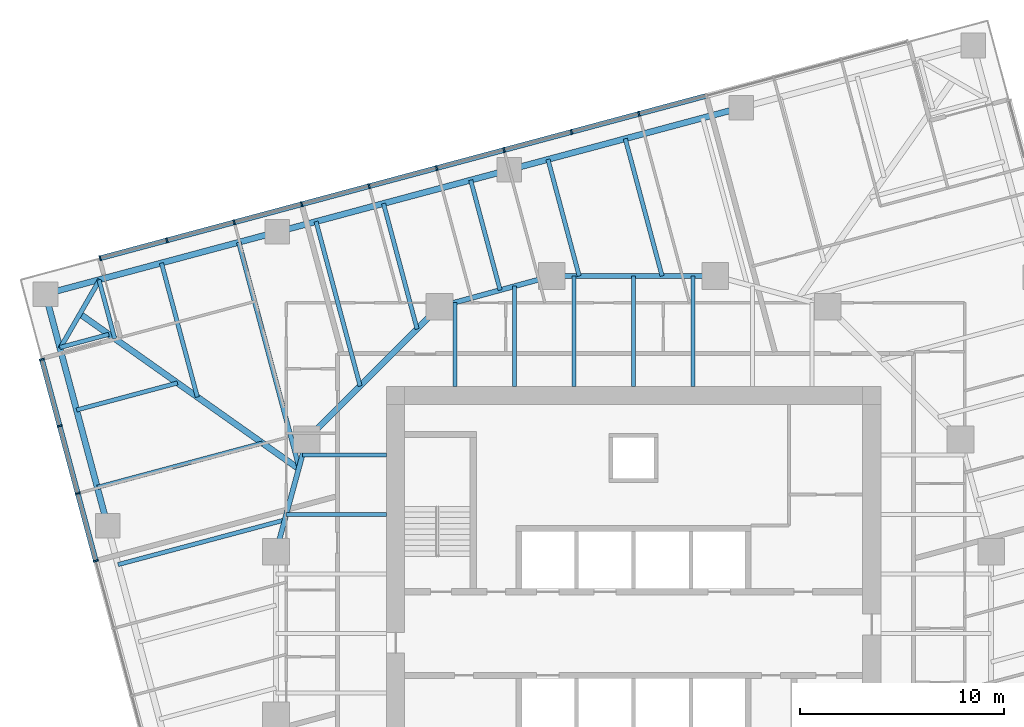
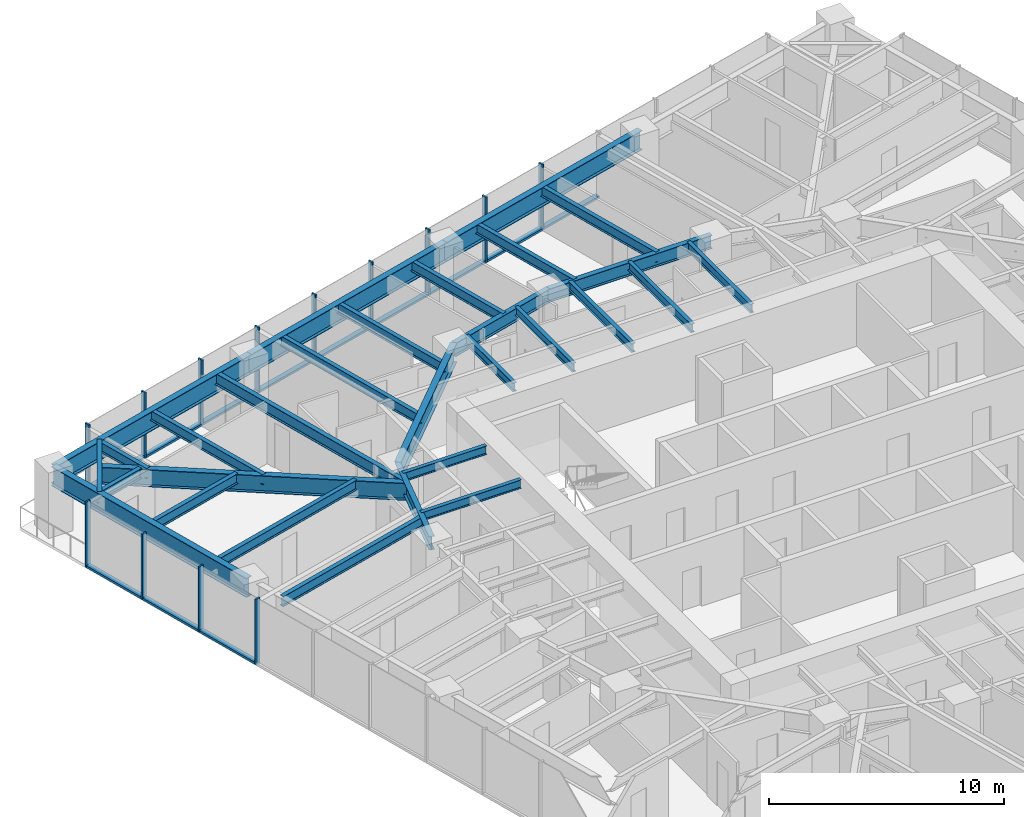
# One storey, part 5 of 14: 29 beams, 25 members, 2 elements without a shape of their own.
"""IFC4 building model written with IfcOpenShell, lengths in metres."""

from ifc_helpers import new_model, si_unit, direction, frame, origin, origin_2d, place, context, subcontext, project, spatial, rectangle, i_section, extrude, material, material_profile, profile_set, type_object, element, aggregate, save


model = new_model("IFC4")

# Units and contexts
model_context = context("Model", 3, precision=1e-05, world=origin(), true_north=direction((0.0, 1.0)))
body_context = subcontext(model_context, "Body", "Model", "MODEL_VIEW")
ifc_project = project(units=[si_unit("LENGTHUNIT", "METRE"), si_unit("AREAUNIT", "SQUARE_METRE"), si_unit("VOLUMEUNIT", "CUBIC_METRE"), si_unit("PLANEANGLEUNIT", "RADIAN"), si_unit("MASSUNIT", "GRAM", prefix="KILO")], contexts=[model_context])

# Site, building, storey
site_placement = place(None, origin())
site = spatial("IfcSite", under=ifc_project, at=site_placement, CompositionType="ELEMENT")
building_placement = place(site_placement, origin())
building = spatial("IfcBuilding", under=site, at=building_placement, Name="Torsade Residences", CompositionType="ELEMENT")
storey_placement = place(building_placement, frame((0.0, 0.0, 128.60009765625)))
storey = spatial("IfcBuildingStorey", under=building, at=storey_placement, Name="L35", CompositionType="ELEMENT", Elevation=128.60009765625)

# Beams
ifc_material_1 = material(Name="Steel grade 300", Category="steel")
ifc_material_profile_1 = material_profile(ifc_material_1, i_section(OverallWidth=0.300048828125, OverallDepth=0.89990234375, WebThickness=0.011962890625, FlangeThickness=0.02490234375, at=origin_2d()), Name="900WB175")
ifc_profile_set_1 = profile_set([ifc_material_profile_1], Name="Steel grade 300")
beam_type_1 = type_object("IfcBeamType", Name="CORNER GIRDER 900WB175", PredefinedType="BEAM", material=ifc_profile_set_1)
beam_1_placement = place(storey_placement, frame((12.902587890625, 45.644775390625, 2.7998046875), z_axis=(0.816261084801, -0.577683167004, 0.0), x_axis=(0.577683167004, 0.816261084801, 0.0)))
element("IfcBeam", 1, at=beam_1_placement, inside=storey, type_object=beam_type_1, Name="Corner girder 13 L36", PredefinedType="BEAM", context=body_context, shape_type="SweptSolid", body=[
    extrude(i_section(OverallWidth=0.300048828125, OverallDepth=0.89990234375, WebThickness=0.011962890625, FlangeThickness=0.02490234375, at=origin_2d()), origin(), (0.0, 0.0, 1.0), 13.116943359375),
])
ifc_material_2 = material(Name="Steel grade 300", Category="steel")
ifc_material_profile_2 = material_profile(ifc_material_2, i_section(OverallWidth=0.22802734375, OverallDepth=0.60205078125, WebThickness=0.010498046875, FlangeThickness=0.014892578125, FilletRadius=0.013916015625, at=origin_2d()), Name="610UB101")
ifc_profile_set_2 = profile_set([ifc_material_profile_2], Name="Steel grade 300")
beam_type_2 = type_object("IfcBeamType", Name="CORNER TRIMMER 610UB101", PredefinedType="BEAM", material=ifc_profile_set_2)
beam_2_placement = place(storey_placement, frame((11.93017578125, 43.960693359375, 2.948974609375), z_axis=(0.499994147244, 0.866028782848, 0.0), x_axis=(-0.866028782848, 0.499994147244, 0.0)))
element("IfcBeam", 2, at=beam_2_placement, inside=storey, type_object=beam_type_2, Name="Corner trimmer 13 L36", PredefinedType="BEAM", context=body_context, shape_type="SweptSolid", body=[
    extrude(i_section(OverallWidth=0.22802734375, OverallDepth=0.60205078125, WebThickness=0.010498046875, FlangeThickness=0.014892578125, FilletRadius=0.013916015625, at=origin_2d()), origin(), (0.0, 0.0, 1.0), 3.88916015625),
])
ifc_material_3 = material(Name="Steel grade 300", Category="steel")
ifc_material_profile_3 = material_profile(ifc_material_3, i_section(OverallWidth=0.300048828125, OverallDepth=1.0, WebThickness=0.01611328125, FlangeThickness=0.028076171875, at=origin_2d()), Name="1000WB215")
ifc_profile_set_3 = profile_set([ifc_material_profile_3], Name="Steel grade 300")
beam_type_3 = type_object("IfcBeamType", Name="EDGE BEAM 1000WB215", PredefinedType="SPANDREL", material=ifc_profile_set_3)
for number, where, z_axis, x_axis, name in (
    (3, (45.267333984375, 55.740478515625, 2.75), (-0.965922824118, -0.258830249097, 0.0), (0.258830249097, -0.965922824118, 0.0), "Edge beam 10 L36"),
    (4, (33.917724609375, 52.69921875, 2.75), (-0.965928018634, -0.258810863021, 0.0), (0.258810863021, -0.965928018634, 0.0), "Edge beam 11 L36"),
    (5, (22.568115234375, 49.658203125, 2.75), (-0.965922824118, -0.258830249097, 0.0), (0.258830249097, -0.965922824118, 0.0), "Edge beam 12 L36"),
    (6, (11.218505859375, 46.616943359375, 2.75), (0.258810863021, -0.965928018634, 0.0), (0.965928018634, 0.258810863021, 0.0), "Edge beam 13 L36"),
):
    element("IfcBeam", number, at=place(storey_placement, frame(where, z_axis=z_axis, x_axis=x_axis)), inside=storey, type_object=beam_type_3, Name=name, PredefinedType="SPANDREL", context=body_context, shape_type="SweptSolid", body=[
        extrude(i_section(OverallWidth=0.300048828125, OverallDepth=1.0, WebThickness=0.01611328125, FlangeThickness=0.028076171875, at=origin_2d()), origin(), (0.0, 0.0, 1.0), 11.75),
    ])
ifc_material_4 = material(Name="Steel grade 300", Category="steel")
ifc_material_profile_4 = material_profile(ifc_material_4, i_section(OverallWidth=0.18994140625, OverallDepth=0.4541015625, WebThickness=0.008544921875, FlangeThickness=0.0126953125, FilletRadius=0.011474609375, at=origin_2d()), Name="460UB67.1")
ifc_profile_set_4 = profile_set([ifc_material_profile_4], Name="Steel grade 300")
beam_type_4 = type_object("IfcBeamType", Name="INNER FLOOR BEAM 460UB67.1", PredefinedType="JOIST", material=ifc_profile_set_4)
beam_3_placement = place(storey_placement, frame((31.262451171875, 42.10009765625, 3.02294921875), z_axis=(0.0, 1.0, 0.0), x_axis=(-1.0, 0.0, 0.0)))
element("IfcBeam", 7, at=beam_3_placement, inside=storey, type_object=beam_type_4, Name="Inner floor beam IN01 L36", PredefinedType="JOIST", context=body_context, shape_type="SweptSolid", body=[
    extrude(i_section(OverallWidth=0.18994140625, OverallDepth=0.4541015625, WebThickness=0.008544921875, FlangeThickness=0.0126953125, FilletRadius=0.011474609375, at=origin_2d()), origin(), (0.0, 0.0, 1.0), 4.10791015625),
])
beam_4_placement = place(storey_placement, frame((34.175048828125, 42.10009765625, 3.02294921875), z_axis=(0.0, 1.0, 0.0), x_axis=(-1.0, 0.0, 0.0)))
element("IfcBeam", 8, at=beam_4_placement, inside=storey, type_object=beam_type_4, Name="Inner floor beam IN02 L36", PredefinedType="JOIST", context=body_context, shape_type="SweptSolid", body=[
    extrude(i_section(OverallWidth=0.18994140625, OverallDepth=0.4541015625, WebThickness=0.008544921875, FlangeThickness=0.0126953125, FilletRadius=0.011474609375, at=origin_2d()), origin(), (0.0, 0.0, 1.0), 4.902099609375),
])
for number, where, z_axis, x_axis, name in (
    (9, (37.08740234375, 42.10009765625, 3.02294921875), (0.0, 1.0, 0.0), (-1.0, 0.0, 0.0), "Inner floor beam IN03 L36"),
    (10, (40.0, 42.10009765625, 3.02294921875), (0.0, 1.0, 0.0), (-1.0, 0.0, 0.0), "Inner floor beam IN04 L36"),
    (11, (42.91259765625, 42.10009765625, 3.02294921875), (0.0, 1.0, 0.0), (-1.0, 0.0, 0.0), "Inner floor beam IN05 L36"),
):
    element("IfcBeam", number, at=place(storey_placement, frame(where, z_axis=z_axis, x_axis=x_axis)), inside=storey, type_object=beam_type_4, Name=name, PredefinedType="JOIST", context=body_context, shape_type="SweptSolid", body=[
        extrude(i_section(OverallWidth=0.18994140625, OverallDepth=0.4541015625, WebThickness=0.008544921875, FlangeThickness=0.0126953125, FilletRadius=0.011474609375, at=origin_2d()), origin(), (0.0, 0.0, 1.0), 5.39990234375),
    ])
beam_5_placement = place(storey_placement, frame((27.89990234375, 38.737548828125, 3.02294921875), z_axis=(-1.0, 0.0, 0.0), x_axis=(0.0, -1.0, 0.0)))
element("IfcBeam", 12, at=beam_5_placement, inside=storey, type_object=beam_type_4, Name="Inner floor beam IW01 L36", PredefinedType="JOIST", context=body_context, shape_type="SweptSolid", body=[
    extrude(i_section(OverallWidth=0.18994140625, OverallDepth=0.4541015625, WebThickness=0.008544921875, FlangeThickness=0.0126953125, FilletRadius=0.011474609375, at=origin_2d()), origin(), (0.0, 0.0, 1.0), 4.10791015625),
])
beam_6_placement = place(storey_placement, frame((27.89990234375, 35.824951171875, 3.02294921875), z_axis=(-1.0, 0.0, 0.0), x_axis=(0.0, -1.0, 0.0)))
element("IfcBeam", 13, at=beam_6_placement, inside=storey, type_object=beam_type_4, Name="Inner floor beam IW02 L36", PredefinedType="JOIST", context=body_context, shape_type="SweptSolid", body=[
    extrude(i_section(OverallWidth=0.18994140625, OverallDepth=0.4541015625, WebThickness=0.008544921875, FlangeThickness=0.0126953125, FilletRadius=0.011474609375, at=origin_2d()), origin(), (0.0, 0.0, 1.0), 4.902099609375),
])

# Curtain wall, members
ifc_material_5 = material(Name="Aluminium and glass", Category="aluminium")
curtain_wall_type = type_object("IfcCurtainWallType", Name="FRITTED GLASS CURTAIN WALL MID ZONE", PredefinedType="NOTDEFINED", material=ifc_material_5)
curtain_wall_1_placement = place(storey_placement, origin())
curtain_wall_1 = element("IfcCurtainWall", 14, at=curtain_wall_1_placement, inside=storey, type_object=curtain_wall_type, Name="Curtain wall L35 face 7", PredefinedType="NOTDEFINED")
ifc_material_6 = material(Name="Aluminium mullion", Category="aluminium")
ifc_material_profile_5 = material_profile(ifc_material_6, rectangle(XDim=0.25, YDim=0.080078125, at=origin_2d()), Name="MID ZONE CURTAIN WALL MULLION 250x80")
ifc_profile_set_5 = profile_set([ifc_material_profile_5], Name="Aluminium mullion")
member_type_1 = type_object("IfcMemberType", Name="MID ZONE CURTAIN WALL MULLION 250x80", PredefinedType="MULLION", material=ifc_profile_set_5)
member_1_placement = place(storey_placement, frame((40.259521484375, 55.433837890625, 0.0), z_axis=(0.0, 0.0, 1.0), x_axis=(0.258819047783, -0.965925825571, 0.0)))
member_1 = element("IfcMember", 15, at=member_1_placement, type_object=member_type_1, Name="Mullion 5", PredefinedType="MULLION", context=body_context, shape_type="SweptSolid", body=[
    extrude(rectangle(XDim=0.25, YDim=0.080078125, at=origin_2d()), origin(), (0.0, 0.0, 1.0), 3.39990234375),
])
member_2_placement = place(storey_placement, frame((36.959228515625, 54.549560546875, 0.0), z_axis=(0.0, 0.0, 1.0), x_axis=(0.258819047783, -0.965925825571, 0.0)))
member_2 = element("IfcMember", 16, at=member_2_placement, type_object=member_type_1, Name="Mullion 6", PredefinedType="MULLION", context=body_context, shape_type="SweptSolid", body=[
    extrude(rectangle(XDim=0.25, YDim=0.080078125, at=origin_2d()), origin(), (0.0, 0.0, 1.0), 3.39990234375),
])
member_3_placement = place(storey_placement, frame((33.658935546875, 53.665283203125, 0.0), z_axis=(0.0, 0.0, 1.0), x_axis=(0.258819047783, -0.965925825571, 0.0)))
member_3 = element("IfcMember", 17, at=member_3_placement, type_object=member_type_1, Name="Mullion 7", PredefinedType="MULLION", context=body_context, shape_type="SweptSolid", body=[
    extrude(rectangle(XDim=0.25, YDim=0.080078125, at=origin_2d()), origin(), (0.0, 0.0, 1.0), 3.39990234375),
])
member_4_placement = place(storey_placement, frame((30.358642578125, 52.781005859375, 0.0), z_axis=(0.0, 0.0, 1.0), x_axis=(0.258819047783, -0.965925825571, 0.0)))
member_4 = element("IfcMember", 18, at=member_4_placement, type_object=member_type_1, Name="Mullion 8", PredefinedType="MULLION", context=body_context, shape_type="SweptSolid", body=[
    extrude(rectangle(XDim=0.25, YDim=0.080078125, at=origin_2d()), origin(), (0.0, 0.0, 1.0), 3.39990234375),
])
member_5_placement = place(storey_placement, frame((27.058349609375, 51.896484375, 0.0), z_axis=(0.0, 0.0, 1.0), x_axis=(0.258819047783, -0.965925825571, 0.0)))
member_5 = element("IfcMember", 19, at=member_5_placement, type_object=member_type_1, Name="Mullion 9", PredefinedType="MULLION", context=body_context, shape_type="SweptSolid", body=[
    extrude(rectangle(XDim=0.25, YDim=0.080078125, at=origin_2d()), origin(), (0.0, 0.0, 1.0), 3.39990234375),
])
member_6_placement = place(storey_placement, frame((23.75830078125, 51.01220703125, 0.0), z_axis=(0.0, 0.0, 1.0), x_axis=(0.258819047783, -0.965925825571, 0.0)))
member_6 = element("IfcMember", 20, at=member_6_placement, type_object=member_type_1, Name="Mullion 10", PredefinedType="MULLION", context=body_context, shape_type="SweptSolid", body=[
    extrude(rectangle(XDim=0.25, YDim=0.080078125, at=origin_2d()), origin(), (0.0, 0.0, 1.0), 3.39990234375),
])
member_7_placement = place(storey_placement, frame((20.4580078125, 50.1279296875, 0.0), z_axis=(0.0, 0.0, 1.0), x_axis=(0.258819047783, -0.965925825571, 0.0)))
member_7 = element("IfcMember", 21, at=member_7_placement, type_object=member_type_1, Name="Mullion 11", PredefinedType="MULLION", context=body_context, shape_type="SweptSolid", body=[
    extrude(rectangle(XDim=0.25, YDim=0.080078125, at=origin_2d()), origin(), (0.0, 0.0, 1.0), 3.39990234375),
])
member_8_placement = place(storey_placement, frame((17.15771484375, 49.24365234375, 0.0), z_axis=(0.0, 0.0, 1.0), x_axis=(0.258819047783, -0.965925825571, 0.0)))
member_8 = element("IfcMember", 22, at=member_8_placement, type_object=member_type_1, Name="Mullion 12", PredefinedType="MULLION", context=body_context, shape_type="SweptSolid", body=[
    extrude(rectangle(XDim=0.25, YDim=0.080078125, at=origin_2d()), origin(), (0.0, 0.0, 1.0), 3.39990234375),
])
member_9_placement = place(storey_placement, frame((13.89599609375, 48.36962890625, 0.0), z_axis=(0.0, 0.0, 1.0), x_axis=(0.258819047783, -0.965925825571, 0.0)))
member_9 = element("IfcMember", 23, at=member_9_placement, type_object=member_type_1, Name="Mullion 13", PredefinedType="MULLION", context=body_context, shape_type="SweptSolid", body=[
    extrude(rectangle(XDim=0.25, YDim=0.080078125, at=origin_2d()), origin(), (0.0, 0.0, 1.0), 3.39990234375),
])

curtain_wall_2_placement = place(storey_placement, origin())
curtain_wall_2 = element("IfcCurtainWall", 24, at=curtain_wall_2_placement, inside=storey, type_object=curtain_wall_type, Name="Curtain wall L35 face 10", PredefinedType="NOTDEFINED")
member_10_placement = place(storey_placement, frame((11.039306640625, 43.421875, 0.0), z_axis=(0.0, 0.0, 1.0), x_axis=(0.965925825571, 0.258819047783, 0.0)))
member_10 = element("IfcMember", 25, at=member_10_placement, type_object=member_type_1, Name="Mullion 1", PredefinedType="MULLION", context=body_context, shape_type="SweptSolid", body=[
    extrude(rectangle(XDim=0.25, YDim=0.080078125, at=origin_2d()), origin(), (0.0, 0.0, 1.0), 3.39990234375),
])
member_11_placement = place(storey_placement, frame((11.913330078125, 40.16015625, 0.0), z_axis=(0.0, 0.0, 1.0), x_axis=(0.965925825571, 0.258819047783, 0.0)))
member_11 = element("IfcMember", 26, at=member_11_placement, type_object=member_type_1, Name="Mullion 2", PredefinedType="MULLION", context=body_context, shape_type="SweptSolid", body=[
    extrude(rectangle(XDim=0.25, YDim=0.080078125, at=origin_2d()), origin(), (0.0, 0.0, 1.0), 3.39990234375),
])
member_12_placement = place(storey_placement, frame((12.797607421875, 36.85986328125, 0.0), z_axis=(0.0, 0.0, 1.0), x_axis=(0.965925825571, 0.258819047783, 0.0)))
member_12 = element("IfcMember", 27, at=member_12_placement, type_object=member_type_1, Name="Mullion 3", PredefinedType="MULLION", context=body_context, shape_type="SweptSolid", body=[
    extrude(rectangle(XDim=0.25, YDim=0.080078125, at=origin_2d()), origin(), (0.0, 0.0, 1.0), 3.39990234375),
])
member_13_placement = place(storey_placement, frame((13.681884765625, 33.5595703125, 0.0), z_axis=(0.0, 0.0, 1.0), x_axis=(0.965925825571, 0.258819047783, 0.0)))
member_13 = element("IfcMember", 28, at=member_13_placement, type_object=member_type_1, Name="Mullion 4", PredefinedType="MULLION", context=body_context, shape_type="SweptSolid", body=[
    extrude(rectangle(XDim=0.25, YDim=0.080078125, at=origin_2d()), origin(), (0.0, 0.0, 1.0), 3.39990234375),
])

# Member
ifc_material_7 = material(Name="Aluminium transom", Category="aluminium")
ifc_material_profile_6 = material_profile(ifc_material_7, rectangle(XDim=0.25, YDim=0.110107421875, at=origin_2d()), Name="MID ZONE CURTAIN WALL TRANSOM 250x110")
ifc_profile_set_6 = profile_set([ifc_material_profile_6], Name="Aluminium transom")
member_type_2 = type_object("IfcMemberType", Name="MID ZONE CURTAIN WALL TRANSOM 250x110", PredefinedType="USERDEFINED", material=ifc_profile_set_6)
member_14_placement = place(storey_placement, frame((43.52099609375, 56.3076171875, 0.054931640625), z_axis=(-0.965929435155, -0.258805576255, 0.0), x_axis=(0.258805576255, -0.965929435155, 0.0)))
member_14 = element("IfcMember", 29, at=member_14_placement, type_object=member_type_2, Name="Transom 4.1", ObjectType="TRANSOM", PredefinedType="USERDEFINED", context=body_context, shape_type="SweptSolid", body=[
    extrude(rectangle(XDim=0.25, YDim=0.110107421875, at=origin_2d()), origin(), (0.0, 0.0, 1.0), 3.336669921875),
])

member_15_placement = place(storey_placement, frame((40.220703125, 55.42333984375, 0.054931640625), z_axis=(-0.965929435155, -0.258805576255, 0.0), x_axis=(0.258805576255, -0.965929435155, 0.0)))
member_15 = element("IfcMember", 30, at=member_15_placement, type_object=member_type_2, Name="Transom 5.1", ObjectType="TRANSOM", PredefinedType="USERDEFINED", context=body_context, shape_type="SweptSolid", body=[
    extrude(rectangle(XDim=0.25, YDim=0.110107421875, at=origin_2d()), origin(), (0.0, 0.0, 1.0), 3.336669921875),
])

member_16_placement = place(storey_placement, frame((36.920654296875, 54.5390625, 0.054931640625), z_axis=(-0.965934335648, -0.258787285653, 0.0), x_axis=(0.258787285653, -0.965934335648, 0.0)))
member_16 = element("IfcMember", 31, at=member_16_placement, type_object=member_type_2, Name="Transom 6.1", ObjectType="TRANSOM", PredefinedType="USERDEFINED", context=body_context, shape_type="SweptSolid", body=[
    extrude(rectangle(XDim=0.25, YDim=0.110107421875, at=origin_2d()), origin(), (0.0, 0.0, 1.0), 3.3369140625),
])

member_17_placement = place(storey_placement, frame((33.620361328125, 53.65478515625, 0.054931640625), z_axis=(-0.965934335648, -0.258787285653, 0.0), x_axis=(0.258787285653, -0.965934335648, 0.0)))
member_17 = element("IfcMember", 32, at=member_17_placement, type_object=member_type_2, Name="Transom 7.1", ObjectType="TRANSOM", PredefinedType="USERDEFINED", context=body_context, shape_type="SweptSolid", body=[
    extrude(rectangle(XDim=0.25, YDim=0.110107421875, at=origin_2d()), origin(), (0.0, 0.0, 1.0), 3.3369140625),
])

member_18_placement = place(storey_placement, frame((30.320068359375, 52.7705078125, 0.054931640625), z_axis=(-0.965929435155, -0.258805576255, 0.0), x_axis=(0.258805576255, -0.965929435155, 0.0)))
member_18 = element("IfcMember", 33, at=member_18_placement, type_object=member_type_2, Name="Transom 8.1", ObjectType="TRANSOM", PredefinedType="USERDEFINED", context=body_context, shape_type="SweptSolid", body=[
    extrude(rectangle(XDim=0.25, YDim=0.110107421875, at=origin_2d()), origin(), (0.0, 0.0, 1.0), 3.336669921875),
])

member_19_placement = place(storey_placement, frame((27.019775390625, 51.88623046875, 0.054931640625), z_axis=(-0.965929435155, -0.258805576255, 0.0), x_axis=(0.258805576255, -0.965929435155, 0.0)))
member_19 = element("IfcMember", 34, at=member_19_placement, type_object=member_type_2, Name="Transom 9.1", ObjectType="TRANSOM", PredefinedType="USERDEFINED", context=body_context, shape_type="SweptSolid", body=[
    extrude(rectangle(XDim=0.25, YDim=0.110107421875, at=origin_2d()), origin(), (0.0, 0.0, 1.0), 3.336669921875),
])

member_20_placement = place(storey_placement, frame((23.719482421875, 51.001953125, 0.054931640625), z_axis=(-0.965929435155, -0.258805576255, 0.0), x_axis=(0.258805576255, -0.965929435155, 0.0)))
member_20 = element("IfcMember", 35, at=member_20_placement, type_object=member_type_2, Name="Transom 10.1", ObjectType="TRANSOM", PredefinedType="USERDEFINED", context=body_context, shape_type="SweptSolid", body=[
    extrude(rectangle(XDim=0.25, YDim=0.110107421875, at=origin_2d()), origin(), (0.0, 0.0, 1.0), 3.336669921875),
])

member_21_placement = place(storey_placement, frame((20.419189453125, 50.11767578125, 0.054931640625), z_axis=(-0.965929435155, -0.258805576255, 0.0), x_axis=(0.258805576255, -0.965929435155, 0.0)))
member_21 = element("IfcMember", 36, at=member_21_placement, type_object=member_type_2, Name="Transom 11.1", ObjectType="TRANSOM", PredefinedType="USERDEFINED", context=body_context, shape_type="SweptSolid", body=[
    extrude(rectangle(XDim=0.25, YDim=0.110107421875, at=origin_2d()), origin(), (0.0, 0.0, 1.0), 3.336669921875),
])

member_22_placement = place(storey_placement, frame((17.119140625, 49.2333984375, 0.054931640625), z_axis=(-0.965923258633, -0.258828627534, 0.0), x_axis=(0.258828627534, -0.965923258633, 0.0)))
member_22 = element("IfcMember", 37, at=member_22_placement, type_object=member_type_2, Name="Transom 12.1", ObjectType="TRANSOM", PredefinedType="USERDEFINED", context=body_context, shape_type="SweptSolid", body=[
    extrude(rectangle(XDim=0.25, YDim=0.110107421875, at=origin_2d()), origin(), (0.0, 0.0, 1.0), 3.296630859375),
])

aggregate(curtain_wall_1, [member_1, member_2, member_3, member_4, member_5, member_6, member_7, member_8, member_9, member_14, member_15, member_16, member_17, member_18, member_19, member_20, member_21, member_22])

member_23_placement = place(storey_placement, frame((11.0498046875, 43.383056640625, 0.054931640625), z_axis=(0.258828627534, -0.965923258633, 0.0), x_axis=(0.965923258633, 0.258828627534, 0.0)))
member_23 = element("IfcMember", 38, at=member_23_placement, type_object=member_type_2, Name="Transom 1.1", ObjectType="TRANSOM", PredefinedType="USERDEFINED", context=body_context, shape_type="SweptSolid", body=[
    extrude(rectangle(XDim=0.25, YDim=0.110107421875, at=origin_2d()), origin(), (0.0, 0.0, 1.0), 3.296630859375),
])

member_24_placement = place(storey_placement, frame((11.923583984375, 40.12158203125, 0.054931640625), z_axis=(0.258855549498, -0.965916044226, 0.0), x_axis=(0.965916044226, 0.258855549498, 0.0)))
member_24 = element("IfcMember", 39, at=member_24_placement, type_object=member_type_2, Name="Transom 2.1", ObjectType="TRANSOM", PredefinedType="USERDEFINED", context=body_context, shape_type="SweptSolid", body=[
    extrude(rectangle(XDim=0.25, YDim=0.110107421875, at=origin_2d()), origin(), (0.0, 0.0, 1.0), 3.3369140625),
])

member_25_placement = place(storey_placement, frame((12.807861328125, 36.8212890625, 0.054931640625), z_axis=(0.258873844232, -0.96591114124, 0.0), x_axis=(0.96591114124, 0.258873844232, 0.0)))
member_25 = element("IfcMember", 40, at=member_25_placement, type_object=member_type_2, Name="Transom 3.1", ObjectType="TRANSOM", PredefinedType="USERDEFINED", context=body_context, shape_type="SweptSolid", body=[
    extrude(rectangle(XDim=0.25, YDim=0.110107421875, at=origin_2d()), origin(), (0.0, 0.0, 1.0), 3.336669921875),
])

aggregate(curtain_wall_2, [member_10, member_11, member_12, member_13, member_23, member_24, member_25])

# Beams
ifc_material_8 = material(Name="Steel grade 300", Category="steel")
ifc_material_profile_7 = material_profile(ifc_material_8, i_section(OverallWidth=0.300048828125, OverallDepth=1.0, WebThickness=0.01611328125, FlangeThickness=0.028076171875, at=origin_2d()), Name="1000WB215")
ifc_profile_set_7 = profile_set([ifc_material_profile_7], Name="Steel grade 300")
beam_type_5 = type_object("IfcBeamType", Name="RING CORNER GIRDER 1000WB215", PredefinedType="BEAM", material=ifc_profile_set_7)
beam_7_placement = place(storey_placement, frame((30.5, 46.0, 2.75), z_axis=(-0.707106781187, -0.707106781187, 0.0), x_axis=(0.707106781187, -0.707106781187, 0.0)))
element("IfcBeam", 41, at=beam_7_placement, inside=storey, type_object=beam_type_5, Name="Ring girder IR07 L36", PredefinedType="BEAM", context=body_context, shape_type="SweptSolid", body=[
    extrude(i_section(OverallWidth=0.300048828125, OverallDepth=1.0, WebThickness=0.01611328125, FlangeThickness=0.028076171875, at=origin_2d()), origin(), (0.0, 0.0, 1.0), 9.1923828125),
])
ifc_material_9 = material(Name="Steel grade 300", Category="steel")
ifc_material_profile_8 = material_profile(ifc_material_9, i_section(OverallWidth=0.25, OverallDepth=0.699951171875, WebThickness=0.010009765625, FlangeThickness=0.02001953125, at=origin_2d()), Name="700WB130")
ifc_profile_set_8 = profile_set([ifc_material_profile_8], Name="Steel grade 300")
beam_type_6 = type_object("IfcBeamType", Name="RING GIRDER 700WB130", PredefinedType="BEAM", material=ifc_profile_set_8)
beam_8_placement = place(storey_placement, frame((44.0, 47.5, 2.89990234375), z_axis=(-1.0, 0.0, 0.0), x_axis=(0.0, -1.0, 0.0)))
element("IfcBeam", 42, at=beam_8_placement, inside=storey, type_object=beam_type_6, Name="Ring girder IR05 L36", PredefinedType="BEAM", context=body_context, shape_type="SweptSolid", body=[
    extrude(i_section(OverallWidth=0.25, OverallDepth=0.699951171875, WebThickness=0.010009765625, FlangeThickness=0.02001953125, at=origin_2d()), origin(), (0.0, 0.0, 1.0), 8.0),
])
for number, where, z_axis, x_axis, name in (
    (43, (36.0, 47.5, 2.89990234375), (-0.964763821238, -0.263117405792, 0.0), (0.263117405792, -0.964763821238, 0.0), "Ring girder IR06 L36"),
    (44, (24.0, 39.5, 2.89990234375), (-0.263117405792, -0.964763821238, 0.0), (0.964763821238, -0.263117405792, 0.0), "Ring girder IR08 L36"),
):
    element("IfcBeam", number, at=place(storey_placement, frame(where, z_axis=z_axis, x_axis=x_axis)), inside=storey, type_object=beam_type_6, Name=name, PredefinedType="BEAM", context=body_context, shape_type="SweptSolid", body=[
        extrude(i_section(OverallWidth=0.25, OverallDepth=0.699951171875, WebThickness=0.010009765625, FlangeThickness=0.02001953125, at=origin_2d()), origin(), (0.0, 0.0, 1.0), 5.700927734375),
    ])
ifc_material_10 = material(Name="Steel grade 300", Category="steel")
ifc_material_profile_9 = material_profile(ifc_material_10, i_section(OverallWidth=0.208984375, OverallDepth=0.528076171875, WebThickness=0.009521484375, FlangeThickness=0.01318359375, FilletRadius=0.013916015625, at=origin_2d()), Name="530UB82.0")
ifc_profile_set_9 = profile_set([ifc_material_profile_9], Name="Steel grade 300")
beam_type_7 = type_object("IfcBeamType", Name="SECONDARY BEAM 530UB82.0", PredefinedType="JOIST", material=ifc_profile_set_9)
beam_9_placement = place(storey_placement, frame((39.592529296875, 54.2197265625, 2.98583984375), z_axis=(0.258817945835, -0.965926120836, 0.0), x_axis=(0.965926120836, 0.258817945835, 0.0)))
element("IfcBeam", 45, at=beam_9_placement, inside=storey, type_object=beam_type_7, Name="Floor beam FN05 L36", PredefinedType="JOIST", context=body_context, shape_type="SweptSolid", body=[
    extrude(i_section(OverallWidth=0.208984375, OverallDepth=0.528076171875, WebThickness=0.009521484375, FlangeThickness=0.01318359375, FilletRadius=0.013916015625, at=origin_2d()), origin(), (0.0, 0.0, 1.0), 6.956787109375),
])
beam_10_placement = place(storey_placement, frame((35.809326171875, 53.2060546875, 2.98583984375), z_axis=(0.258837996141, -0.965920748174, 0.0), x_axis=(0.965920748174, 0.258837996141, 0.0)))
element("IfcBeam", 46, at=beam_10_placement, inside=storey, type_object=beam_type_7, Name="Floor beam FN06 L36", PredefinedType="JOIST", context=body_context, shape_type="SweptSolid", body=[
    extrude(i_section(OverallWidth=0.208984375, OverallDepth=0.528076171875, WebThickness=0.009521484375, FlangeThickness=0.01318359375, FilletRadius=0.013916015625, at=origin_2d()), origin(), (0.0, 0.0, 1.0), 5.907470703125),
])
beam_11_placement = place(storey_placement, frame((32.026123046875, 52.1923828125, 2.98583984375), z_axis=(0.258829517553, -0.965923020144, 0.0), x_axis=(0.965923020144, 0.258829517553, 0.0)))
element("IfcBeam", 47, at=beam_11_placement, inside=storey, type_object=beam_type_7, Name="Floor beam FN07 L36", PredefinedType="JOIST", context=body_context, shape_type="SweptSolid", body=[
    extrude(i_section(OverallWidth=0.208984375, OverallDepth=0.528076171875, WebThickness=0.009521484375, FlangeThickness=0.01318359375, FilletRadius=0.013916015625, at=origin_2d()), origin(), (0.0, 0.0, 1.0), 5.57275390625),
])
beam_12_placement = place(storey_placement, frame((27.760009765625, 51.04931640625, 2.98583984375), z_axis=(0.258804520856, -0.965929717932, 0.0), x_axis=(0.965929717932, 0.258804520856, 0.0)))
element("IfcBeam", 48, at=beam_12_placement, inside=storey, type_object=beam_type_7, Name="Floor beam FN08 L36", PredefinedType="JOIST", context=body_context, shape_type="SweptSolid", body=[
    extrude(i_section(OverallWidth=0.208984375, OverallDepth=0.528076171875, WebThickness=0.009521484375, FlangeThickness=0.01318359375, FilletRadius=0.013916015625, at=origin_2d()), origin(), (0.0, 0.0, 1.0), 6.360107421875),
])
beam_13_placement = place(storey_placement, frame((24.459716796875, 50.1650390625, 2.98583984375), z_axis=(0.258833232221, -0.96592202475, 0.0), x_axis=(0.96592202475, 0.258833232221, 0.0)))
element("IfcBeam", 49, at=beam_13_placement, inside=storey, type_object=beam_type_7, Name="Floor beam FN09 L36", PredefinedType="JOIST", context=body_context, shape_type="SweptSolid", body=[
    extrude(i_section(OverallWidth=0.208984375, OverallDepth=0.528076171875, WebThickness=0.009521484375, FlangeThickness=0.01318359375, FilletRadius=0.013916015625, at=origin_2d()), origin(), (0.0, 0.0, 1.0), 8.33251953125),
])
beam_14_placement = place(storey_placement, frame((16.893310546875, 48.137451171875, 2.98583984375), z_axis=(0.258814533235, -0.965927035229, 0.0), x_axis=(0.965927035229, 0.258814533235, 0.0)))
element("IfcBeam", 50, at=beam_14_placement, inside=storey, type_object=beam_type_7, Name="Floor beam FN11 L36", PredefinedType="JOIST", context=body_context, shape_type="SweptSolid", body=[
    extrude(i_section(OverallWidth=0.208984375, OverallDepth=0.528076171875, WebThickness=0.009521484375, FlangeThickness=0.01318359375, FilletRadius=0.013916015625, at=origin_2d()), origin(), (0.0, 0.0, 1.0), 6.792724609375),
])
beam_15_placement = place(storey_placement, frame((13.83447265625, 47.31787109375, 2.98583984375), z_axis=(0.258865750242, -0.965913310475, 0.0), x_axis=(0.965913310475, 0.258865750242, 0.0)))
element("IfcBeam", 51, at=beam_15_placement, inside=storey, type_object=beam_type_7, Name="Floor beam FN12 L36", PredefinedType="JOIST", context=body_context, shape_type="SweptSolid", body=[
    extrude(i_section(OverallWidth=0.208984375, OverallDepth=0.528076171875, WebThickness=0.009521484375, FlangeThickness=0.01318359375, FilletRadius=0.013916015625, at=origin_2d()), origin(), (0.0, 0.0, 1.0), 2.980224609375),
])
beam_16_placement = place(storey_placement, frame((11.91943359375, 44.0009765625, 2.98583984375), z_axis=(0.965920834438, 0.258837674225, 0.0), x_axis=(-0.258837674225, 0.965920834438, 0.0)))
element("IfcBeam", 52, at=beam_16_placement, inside=storey, type_object=beam_type_7, Name="Floor beam FW01 L36", PredefinedType="JOIST", context=body_context, shape_type="SweptSolid", body=[
    extrude(i_section(OverallWidth=0.208984375, OverallDepth=0.528076171875, WebThickness=0.009521484375, FlangeThickness=0.01318359375, FilletRadius=0.013916015625, at=origin_2d()), origin(), (0.0, 0.0, 1.0), 2.482666015625),
])
beam_17_placement = place(storey_placement, frame((12.739013671875, 40.942138671875, 2.98583984375), z_axis=(0.965926736728, 0.258815647274, 0.0), x_axis=(-0.258815647274, 0.965926736728, 0.0)))
element("IfcBeam", 53, at=beam_17_placement, inside=storey, type_object=beam_type_7, Name="Floor beam FW02 L36", PredefinedType="JOIST", context=body_context, shape_type="SweptSolid", body=[
    extrude(i_section(OverallWidth=0.208984375, OverallDepth=0.528076171875, WebThickness=0.009521484375, FlangeThickness=0.01318359375, FilletRadius=0.013916015625, at=origin_2d()), origin(), (0.0, 0.0, 1.0), 5.11279296875),
])
beam_18_placement = place(storey_placement, frame((13.752685546875, 37.158935546875, 2.98583984375), z_axis=(0.965924734258, 0.258823120582, 0.0), x_axis=(-0.258823120582, 0.965924734258, 0.0)))
element("IfcBeam", 54, at=beam_18_placement, inside=storey, type_object=beam_type_7, Name="Floor beam FW03 L36", PredefinedType="JOIST", context=body_context, shape_type="SweptSolid", body=[
    extrude(i_section(OverallWidth=0.208984375, OverallDepth=0.528076171875, WebThickness=0.009521484375, FlangeThickness=0.01318359375, FilletRadius=0.013916015625, at=origin_2d()), origin(), (0.0, 0.0, 1.0), 8.365966796875),
])
beam_19_placement = place(storey_placement, frame((14.766357421875, 33.375732421875, 2.98583984375), z_axis=(0.965928701223, 0.258808315464, 0.0), x_axis=(-0.258808315464, 0.965928701223, 0.0)))
element("IfcBeam", 55, at=beam_19_placement, inside=storey, type_object=beam_type_7, Name="Floor beam FW04 L36", PredefinedType="JOIST", context=body_context, shape_type="SweptSolid", body=[
    extrude(i_section(OverallWidth=0.208984375, OverallDepth=0.528076171875, WebThickness=0.009521484375, FlangeThickness=0.01318359375, FilletRadius=0.013916015625, at=origin_2d()), origin(), (0.0, 0.0, 1.0), 8.447509765625),
])
ifc_material_11 = material(Name="Steel grade 300", Category="steel")
ifc_material_profile_10 = material_profile(ifc_material_11, i_section(OverallWidth=0.22900390625, OverallDepth=0.612060546875, WebThickness=0.011962890625, FlangeThickness=0.01953125, FilletRadius=0.013916015625, at=origin_2d()), Name="610UB125")
ifc_profile_set_10 = profile_set([ifc_material_profile_10], Name="Steel grade 300")
beam_type_8 = type_object("IfcBeamType", Name="SECONDARY BEAM 610UB125", PredefinedType="JOIST", material=ifc_profile_set_10)
beam_20_placement = place(storey_placement, frame((20.676513671875, 49.1513671875, 2.94384765625), z_axis=(0.258807068179, -0.965929035417, 0.0), x_axis=(0.965929035417, 0.258807068179, 0.0)))
element("IfcBeam", 56, at=beam_20_placement, inside=storey, type_object=beam_type_8, Name="Floor beam FN10 L36", PredefinedType="JOIST", context=body_context, shape_type="SweptSolid", body=[
    extrude(i_section(OverallWidth=0.22900390625, OverallDepth=0.612060546875, WebThickness=0.011962890625, FlangeThickness=0.01953125, FilletRadius=0.013916015625, at=origin_2d()), origin(), (0.0, 0.0, 1.0), 11.40380859375),
])

save(model, "model.ifc")
